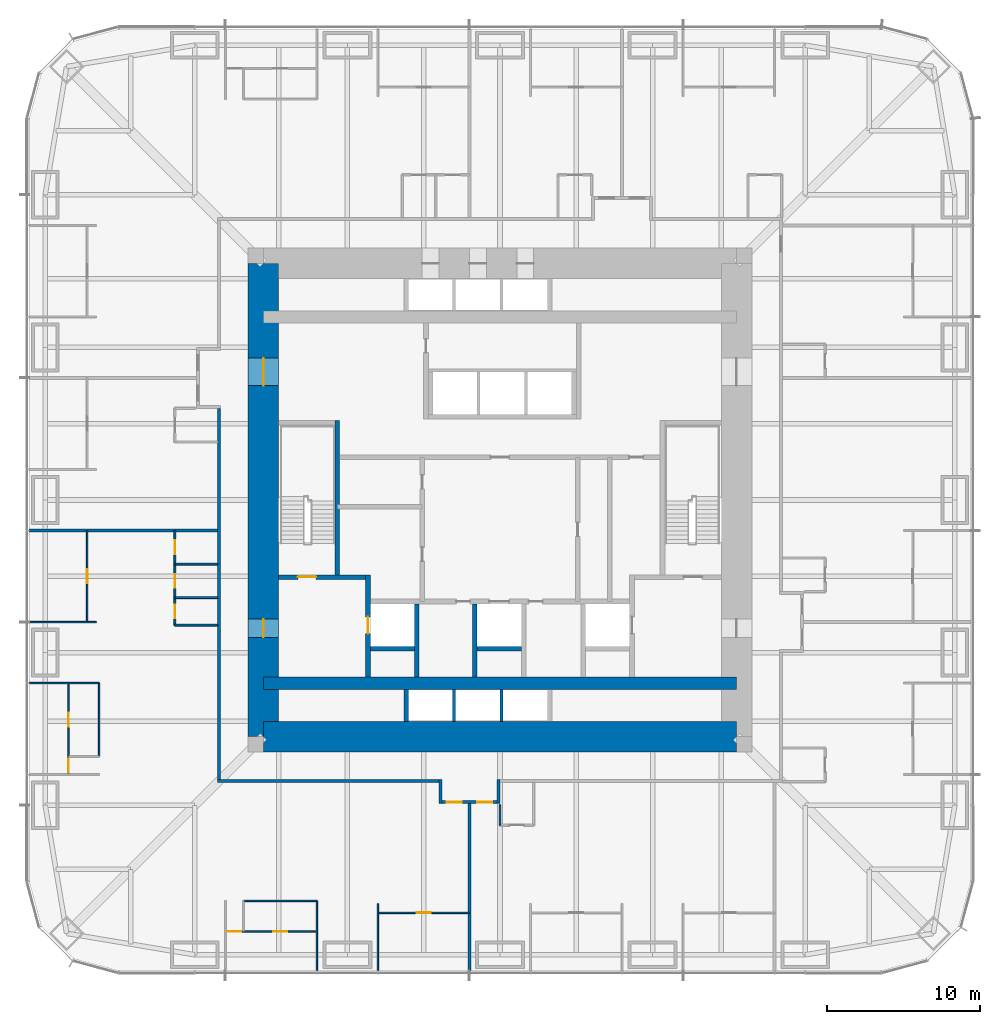
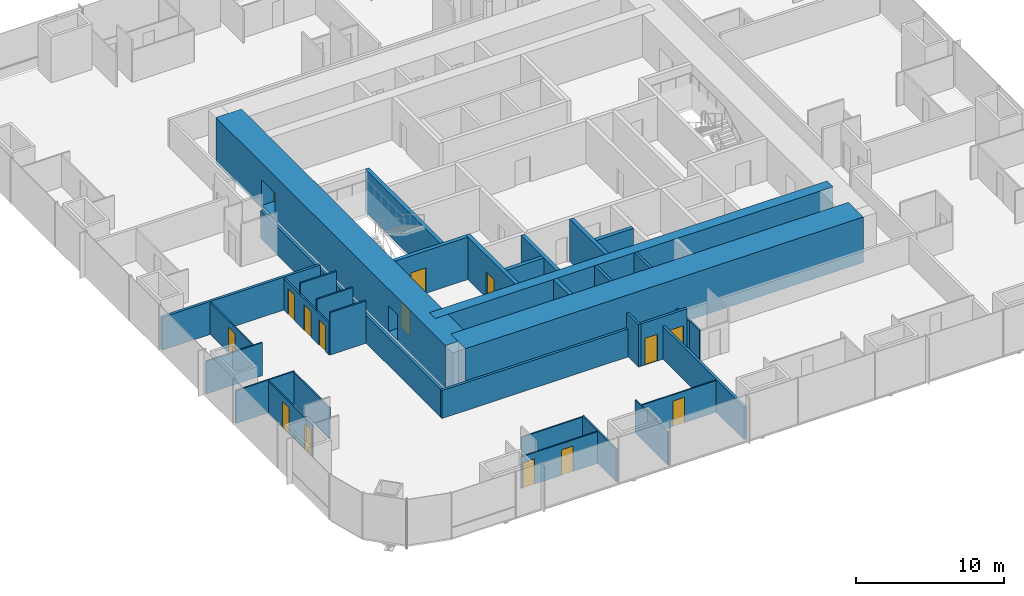
# One storey, part 12 of 17: 35 walls, 15 doors, 15 openings.
"""IFC4 building model written with IfcOpenShell, lengths in metres."""

from ifc_helpers import new_model, si_unit, direction, frame, frame_2d, origin, place, context, subcontext, project, spatial, rectangle, extrude, material, layer, layer_set, type_object, element, fill, save


model = new_model("IFC4")

# Units and contexts
model_context = context("Model", 3, precision=1e-05, world=origin(), true_north=direction((0.0, 1.0)))
body_context = subcontext(model_context, "Body", "Model", "MODEL_VIEW")
ifc_project = project(units=[si_unit("LENGTHUNIT", "METRE"), si_unit("AREAUNIT", "SQUARE_METRE"), si_unit("VOLUMEUNIT", "CUBIC_METRE"), si_unit("PLANEANGLEUNIT", "RADIAN"), si_unit("MASSUNIT", "GRAM", prefix="KILO")], contexts=[model_context])

# Site, building, storey
site_placement = place(None, origin())
site = spatial("IfcSite", under=ifc_project, at=site_placement, CompositionType="ELEMENT")
building_placement = place(site_placement, origin())
building = spatial("IfcBuilding", under=site, at=building_placement, Name="Khuree Lantern Residences", CompositionType="ELEMENT")
storey_placement = place(building_placement, frame((0.0, 0.0, 88.5)))
storey = spatial("IfcBuildingStorey", under=building, at=storey_placement, Name="L22", CompositionType="ELEMENT", Elevation=88.5)

# Wall, openings, doors
ifc_material_1 = material(Name="Moisture-resistant gypsum board on steel studs", Category="steel")
ifc_layer_1 = layer(ifc_material_1, 0.125)
ifc_layer_set_1 = layer_set([ifc_layer_1], Name="BATHROOM WALL BTW125")
wall_type_1 = type_object("IfcWallType", Name="BATHROOM WALL BTW125", PredefinedType="PARTITIONING", material=ifc_layer_set_1)
wall_1_placement = place(storey_placement, frame((-21.300048828125, -2.0, 0.0), z_axis=(0.0, 0.0, 1.0), x_axis=(0.0, -1.0, 0.0)))
wall_1 = element("IfcWall", 1, at=wall_1_placement, inside=storey, type_object=wall_type_1, Name="L22 BATHROOM WALL 07", PredefinedType="PARTITIONING", context=body_context, shape_type="SweptSolid", body=[
    extrude(rectangle(XDim=6.199951171875, YDim=0.125, at=frame_2d((3.10009765625, 0.0))), origin(), (0.0, 0.0, 1.0), 2.610107421875),
])
opening_1_placement = place(wall_1_placement, frame((0.64990234375, 0.0, 0.0)))
opening_1 = element("IfcOpeningElement", 2, at=opening_1_placement, cuts=wall_1, Name="Opening 22-049", PredefinedType="OPENING", context=body_context, shape_type="SweptSolid", body=[
    extrude(rectangle(XDim=0.89990234375, YDim=2.10009765625, at=frame_2d((0.449951171875, 1.050048828125))), frame((0.0, 0.072509765625, 0.0), z_axis=(0.0, -1.0, 0.0), x_axis=(1.0, 0.0, 0.0)), (0.0, 0.0, 1.0), 0.14501953125),
])
opening_2_placement = place(wall_1_placement, frame((2.85009765625, 0.0, 0.0)))
opening_2 = element("IfcOpeningElement", 3, at=opening_2_placement, cuts=wall_1, Name="Opening 22-050", PredefinedType="OPENING", context=body_context, shape_type="SweptSolid", body=[
    extrude(rectangle(XDim=0.89990234375, YDim=2.10009765625, at=frame_2d((0.449951171875, 1.050048828125))), frame((0.0, 0.072509765625, 0.0), z_axis=(0.0, -1.0, 0.0), x_axis=(1.0, 0.0, 0.0)), (0.0, 0.0, 1.0), 0.14501953125),
])
opening_3_placement = place(wall_1_placement, frame((4.85009765625, 0.0, 0.0)))
opening_3 = element("IfcOpeningElement", 4, at=opening_3_placement, cuts=wall_1, Name="Opening 22-051", PredefinedType="OPENING", context=body_context, shape_type="SweptSolid", body=[
    extrude(rectangle(XDim=0.89990234375, YDim=2.10009765625, at=frame_2d((0.449951171875, 1.050048828125))), frame((0.0, 0.072509765625, 0.0), z_axis=(0.0, -1.0, 0.0), x_axis=(1.0, 0.0, 0.0)), (0.0, 0.0, 1.0), 0.14501953125),
])
ifc_material_2 = material(Name="Timber door leaf in hardwood frame", Category="wood")
door_type_1 = type_object("IfcDoorType", Name="BATHROOM DOOR 900X2100", OperationType="SINGLE_SWING_LEFT", PredefinedType="DOOR", material=ifc_material_2)
door_1_placement = place(opening_1_placement, origin())
door_1 = element("IfcDoor", 5, at=door_1_placement, inside=storey, type_object=door_type_1, Name="Bathroom door 22-049", OperationType="SINGLE_SWING_LEFT", OverallHeight=2.10009765625, OverallWidth=0.89990234375, PredefinedType="DOOR", context=body_context, shape_type="SweptSolid", body=[
    extrude(rectangle(XDim=0.89990234375, YDim=2.10009765625, at=frame_2d((0.449951171875, 1.050048828125))), frame((0.0, 0.02490234375, 0.0), z_axis=(0.0, -1.0, 0.0), x_axis=(1.0, 0.0, 0.0)), (0.0, 0.0, 1.0), 0.050048828125),
])
fill(opening_1, door_1)
door_2_placement = place(opening_2_placement, origin())
door_2 = element("IfcDoor", 6, at=door_2_placement, inside=storey, type_object=door_type_1, Name="Bathroom door 22-050", OperationType="SINGLE_SWING_LEFT", OverallHeight=2.10009765625, OverallWidth=0.89990234375, PredefinedType="DOOR", context=body_context, shape_type="SweptSolid", body=[
    extrude(rectangle(XDim=0.89990234375, YDim=2.10009765625, at=frame_2d((0.449951171875, 1.050048828125))), frame((0.0, 0.02490234375, 0.0), z_axis=(0.0, -1.0, 0.0), x_axis=(1.0, 0.0, 0.0)), (0.0, 0.0, 1.0), 0.050048828125),
])
fill(opening_2, door_2)
door_type_2 = type_object("IfcDoorType", Name="DOOR 900X2100", OperationType="SINGLE_SWING_LEFT", PredefinedType="DOOR", material=ifc_material_2)
door_3_placement = place(opening_3_placement, origin())
door_3 = element("IfcDoor", 7, at=door_3_placement, inside=storey, type_object=door_type_2, Name="Store door 22-051", OperationType="SINGLE_SWING_LEFT", OverallHeight=2.10009765625, OverallWidth=0.89990234375, PredefinedType="DOOR", context=body_context, shape_type="SweptSolid", body=[
    extrude(rectangle(XDim=0.89990234375, YDim=2.10009765625, at=frame_2d((0.449951171875, 1.050048828125))), frame((0.0, 0.02490234375, 0.0), z_axis=(0.0, -1.0, 0.0), x_axis=(1.0, 0.0, 0.0)), (0.0, 0.0, 1.0), 0.050048828125),
])
fill(opening_3, door_3)

# Walls
for number, where, z_axis, x_axis, name in (
    (8, (-18.5, -4.199951171875, 0.0), (0.0, 0.0, 1.0), (-1.0, 0.0, 0.0), "L22 BATHROOM WALL 07"),
    (9, (-18.5, -6.39990234375, 0.0), (0.0, 0.0, 1.0), (-1.0, 0.0, 0.0), "L22 BATHROOM WALL 07"),
    (10, (-18.5, -8.199951171875, 0.0), (0.0, 0.0, 1.0), (-1.0, 0.0, 0.0), "L22 BATHROOM WALL 07"),
):
    element("IfcWall", number, at=place(storey_placement, frame(where, z_axis=z_axis, x_axis=x_axis)), inside=storey, type_object=wall_type_1, Name=name, PredefinedType="PARTITIONING", context=body_context, shape_type="SweptSolid", body=[
        extrude(rectangle(XDim=2.800048828125, YDim=0.125, at=frame_2d((1.39990234375, 0.0))), origin(), (0.0, 0.0, 1.0), 3.5),
    ])
wall_2_placement = place(storey_placement, frame((0.0, -19.969970703125, 0.0), z_axis=(0.0, 0.0, 1.0), x_axis=(0.0, -1.0, 0.0)))
element("IfcWall", 11, at=wall_2_placement, inside=storey, type_object=wall_type_1, Name="L22 BATHROOM WALL 08", PredefinedType="PARTITIONING", context=body_context, shape_type="SweptSolid", body=[
    extrude(rectangle(XDim=1.330078125, YDim=0.125, at=frame_2d((0.6650390625, 0.0))), origin(), (0.0, 0.0, 1.0), 2.491943359375),
])

# Wall, opening, door
ifc_material_3 = material(Name="Dense concrete blockwork", Category="masonry")
ifc_layer_2 = layer(ifc_material_3, 0.300048828125)
ifc_layer_set_2 = layer_set([ifc_layer_2], Name="CORE PARTITION WALL CPW300 EI 120")
wall_type_2 = type_object("IfcWallType", Name="CORE PARTITION WALL CPW300 EI 120", PredefinedType="PARTITIONING", material=ifc_layer_set_2)
wall_3_placement = place(storey_placement, frame((-8.64990234375, -11.60009765625, 0.0), z_axis=(0.0, 0.0, 1.0), x_axis=(0.0, 1.0, 0.0)))
wall_3 = element("IfcWall", 12, at=wall_3_placement, inside=storey, type_object=wall_type_2, Name="L22 CORE WALL FL1W", PredefinedType="PARTITIONING", context=body_context, shape_type="SweptSolid", body=[
    extrude(rectangle(XDim=6.7001953125, YDim=0.300048828125, at=frame_2d((3.35009765625, 0.0))), origin(), (0.0, 0.0, 1.0), 3.5),
])
opening_4_placement = place(wall_3_placement, frame((2.85009765625, 0.0, 0.0)))
opening_4 = element("IfcOpeningElement", 13, at=opening_4_placement, cuts=wall_3, Name="Opening 22-007", PredefinedType="OPENING", context=body_context, shape_type="SweptSolid", body=[
    extrude(rectangle(XDim=1.10009765625, YDim=2.10009765625, at=frame_2d((0.550048828125, 1.050048828125))), frame((0.0, 0.16015625, 0.0), z_axis=(0.0, -1.0, 0.0), x_axis=(1.0, 0.0, 0.0)), (0.0, 0.0, 1.0), 0.320068359375),
])
ifc_material_4 = material(Name="Stainless steel lift landing door", Category="steel")
door_type_3 = type_object("IfcDoorType", Name="LIFT LANDING DOOR 1100X2100 E 120", OperationType="DOUBLE_DOOR_SLIDING", PredefinedType="DOOR", material=ifc_material_4)
door_4_placement = place(opening_4_placement, origin())
door_4 = element("IfcDoor", 14, at=door_4_placement, inside=storey, type_object=door_type_3, Name="Landing door FL1 22-007", OperationType="DOUBLE_DOOR_SLIDING", OverallHeight=2.10009765625, OverallWidth=1.10009765625, PredefinedType="DOOR", context=body_context, shape_type="SweptSolid", body=[
    extrude(rectangle(XDim=1.10009765625, YDim=2.10009765625, at=frame_2d((0.550048828125, 1.050048828125))), frame((0.0, 0.02490234375, 0.0), z_axis=(0.0, -1.0, 0.0), x_axis=(1.0, 0.0, 0.0)), (0.0, 0.0, 1.0), 0.050048828125),
])
fill(opening_4, door_4)

# Walls
for number, where, z_axis, x_axis, name in (
    (15, (-5.449951171875, -11.60009765625, 0.0), (0.0, 0.0, 1.0), (0.0, 1.0, 0.0), "L22 CORE WALL FL1E"),
    (16, (-1.64990234375, -11.60009765625, 0.0), (0.0, 0.0, 1.0), (0.0, 1.0, 0.0), "L22 CORE WALL SL1W"),
):
    element("IfcWall", number, at=place(storey_placement, frame(where, z_axis=z_axis, x_axis=x_axis)), inside=storey, type_object=wall_type_2, Name=name, PredefinedType="PARTITIONING", context=body_context, shape_type="SweptSolid", body=[
        extrude(rectangle(XDim=4.800048828125, YDim=0.300048828125, at=frame_2d((2.39990234375, 0.0))), origin(), (0.0, 0.0, 1.0), 3.5),
    ])
for number, where, z_axis, x_axis, name in (
    (17, (-8.5, -9.75, 0.0), (0.0, 0.0, 1.0), (1.0, 0.0, 0.0), "L22 CORE WALL FL1S"),
    (18, (-1.5, -9.75, 0.0), (0.0, 0.0, 1.0), (1.0, 0.0, 0.0), "L22 CORE WALL SL1S"),
):
    element("IfcWall", number, at=place(storey_placement, frame(where, z_axis=z_axis, x_axis=x_axis)), inside=storey, type_object=wall_type_2, Name=name, PredefinedType="PARTITIONING", context=body_context, shape_type="SweptSolid", body=[
        extrude(rectangle(XDim=2.89990234375, YDim=0.300048828125, at=frame_2d((1.449951171875, 0.0))), origin(), (0.0, 0.0, 1.0), 3.5),
    ])
wall_4_placement = place(storey_placement, frame((-6.14990234375, -14.5, 0.0), z_axis=(0.0, 0.0, 1.0), x_axis=(0.0, 1.0, 0.0)))
element("IfcWall", 19, at=wall_4_placement, inside=storey, type_object=wall_type_2, Name="L22 CORE WALL PMW", PredefinedType="PARTITIONING", context=body_context, shape_type="SweptSolid", body=[
    extrude(rectangle(XDim=2.10009765625, YDim=0.300048828125, at=frame_2d((1.050048828125, 0.0))), origin(), (0.0, 0.0, 1.0), 3.5),
])
ifc_material_5 = material(Name="Gypsum board on steel studs", Category="steel")
ifc_layer_3 = layer(ifc_material_5, 0.199951171875)
ifc_layer_set_3 = layer_set([ifc_layer_3], Name="CORRIDOR WALL CRW200 EI 60")
wall_type_3 = type_object("IfcWallType", Name="CORRIDOR WALL CRW200 EI 60", PredefinedType="PARTITIONING", material=ifc_layer_set_3)
wall_5_placement = place(storey_placement, frame((-18.39990234375, 6.0, 0.0), z_axis=(0.0, 0.0, 1.0), x_axis=(0.0, -1.0, 0.0)))
element("IfcWall", 20, at=wall_5_placement, inside=storey, type_object=wall_type_3, Name="L22 CORRIDOR WALL WEST 2", PredefinedType="PARTITIONING", context=body_context, shape_type="SweptSolid", body=[
    extrude(rectangle(XDim=24.300048828125, YDim=0.199951171875, at=frame_2d((12.14990234375, 0.0))), origin(), (0.0, 0.0, 1.0), 2.300048828125),
])
wall_6_placement = place(storey_placement, frame((-0.10009765625, -18.300048828125, 0.0), z_axis=(0.0, 0.0, 1.0), x_axis=(0.0, -1.0, 0.0)))
element("IfcWall", 21, at=wall_6_placement, inside=storey, type_object=wall_type_3, Name="L22 CORRIDOR ALCOVE WALL SOUTH", PredefinedType="PARTITIONING", context=body_context, shape_type="SweptSolid", body=[
    extrude(rectangle(XDim=1.599853515625, YDim=0.199951171875, at=frame_2d((0.7998046875, 0.0))), origin(), (0.0, 0.0, 1.0), 2.491943359375),
])
wall_7_placement = place(storey_placement, frame((-3.89990234375, -18.300048828125, 0.0), z_axis=(0.0, 0.0, 1.0), x_axis=(0.0, -1.0, 0.0)))
element("IfcWall", 22, at=wall_7_placement, inside=storey, type_object=wall_type_3, Name="L22 CORRIDOR ALCOVE WALL SOUTH", PredefinedType="PARTITIONING", context=body_context, shape_type="SweptSolid", body=[
    extrude(rectangle(XDim=1.599853515625, YDim=0.199951171875, at=frame_2d((0.7998046875, 0.0))), origin(), (0.0, 0.0, 1.0), 3.5),
])

# Wall, openings, doors
wall_8_placement = place(storey_placement, frame((-0.199951171875, -19.800048828125, 0.0), z_axis=(0.0, 0.0, 1.0), x_axis=(-1.0, 0.0, 0.0)))
wall_8 = element("IfcWall", 23, at=wall_8_placement, inside=storey, type_object=wall_type_3, Name="L22 CORRIDOR ALCOVE WALL SOUTH", PredefinedType="PARTITIONING", context=body_context, shape_type="SweptSolid", body=[
    extrude(rectangle(XDim=3.60009765625, YDim=0.199951171875, at=frame_2d((1.800048828125, 0.0))), origin(), (0.0, 0.0, 1.0), 3.5),
])
opening_5_placement = place(wall_8_placement, frame((2.300048828125, 0.0, 0.0)))
opening_5 = element("IfcOpeningElement", 24, at=opening_5_placement, cuts=wall_8, Name="Opening 22-052", PredefinedType="OPENING", context=body_context, shape_type="SweptSolid", body=[
    extrude(rectangle(XDim=1.0, YDim=2.199951171875, at=frame_2d((0.5, 1.10009765625))), frame((0.0, 0.10986328125, 0.0), z_axis=(0.0, -1.0, 0.0), x_axis=(1.0, 0.0, 0.0)), (0.0, 0.0, 1.0), 0.219970703125),
])
opening_6_placement = place(wall_8_placement, frame((0.300048828125, 0.0, 0.0)))
opening_6 = element("IfcOpeningElement", 25, at=opening_6_placement, cuts=wall_8, Name="Opening 22-056", PredefinedType="OPENING", context=body_context, shape_type="SweptSolid", body=[
    extrude(rectangle(XDim=1.0, YDim=2.199951171875, at=frame_2d((0.5, 1.10009765625))), frame((0.0, 0.10986328125, 0.0), z_axis=(0.0, -1.0, 0.0), x_axis=(1.0, 0.0, 0.0)), (0.0, 0.0, 1.0), 0.219970703125),
])
door_type_4 = type_object("IfcDoorType", Name="APARTMENT ENTRANCE DOOR 1000X2200 EI 30S", OperationType="SINGLE_SWING_LEFT", PredefinedType="DOOR", material=ifc_material_2)
door_5_placement = place(opening_5_placement, origin())
door_5 = element("IfcDoor", 26, at=door_5_placement, inside=storey, type_object=door_type_4, Name="Apartment 07 entrance door 22-052", OperationType="SINGLE_SWING_LEFT", OverallHeight=2.199951171875, OverallWidth=1.0, PredefinedType="DOOR", context=body_context, shape_type="SweptSolid", body=[
    extrude(rectangle(XDim=1.0, YDim=2.199951171875, at=frame_2d((0.5, 1.10009765625))), frame((0.0, 0.02490234375, 0.0), z_axis=(0.0, -1.0, 0.0), x_axis=(1.0, 0.0, 0.0)), (0.0, 0.0, 1.0), 0.050048828125),
])
fill(opening_5, door_5)
door_6_placement = place(opening_6_placement, origin())
door_6 = element("IfcDoor", 27, at=door_6_placement, inside=storey, type_object=door_type_4, Name="Apartment 08 entrance door 22-056", OperationType="SINGLE_SWING_LEFT", OverallHeight=2.199951171875, OverallWidth=1.0, PredefinedType="DOOR", context=body_context, shape_type="SweptSolid", body=[
    extrude(rectangle(XDim=1.0, YDim=2.199951171875, at=frame_2d((0.5, 1.10009765625))), frame((0.0, 0.02490234375, 0.0), z_axis=(0.0, -1.0, 0.0), x_axis=(1.0, 0.0, 0.0)), (0.0, 0.0, 1.0), 0.050048828125),
])
fill(opening_6, door_6)

# Walls
wall_9_placement = place(storey_placement, frame((-4.0, -18.39990234375, 0.0), z_axis=(0.0, 0.0, 1.0), x_axis=(-1.0, 0.0, 0.0)))
element("IfcWall", 28, at=wall_9_placement, inside=storey, type_object=wall_type_3, Name="L22 CORRIDOR WALL SOUTH 2", PredefinedType="PARTITIONING", context=body_context, shape_type="SweptSolid", body=[
    extrude(rectangle(XDim=14.5, YDim=0.199951171875, at=frame_2d((7.25, 0.0))), origin(), (0.0, 0.0, 1.0), 2.300048828125),
])
ifc_material_6 = material(Name="Concrete C70/85", Category="concrete")
ifc_layer_4 = layer(ifc_material_6, 2.0)
ifc_layer_set_4 = layer_set([ifc_layer_4], Name="CW2000-C70 CORE WALL C70 2000")
wall_type_4 = type_object("IfcWallType", Name="CW2000-C70 CORE WALL C70 2000", PredefinedType="SHEAR", material=ifc_layer_set_4)
wall_10_placement = place(storey_placement, frame((-15.5, -15.5, -0.25), z_axis=(0.0, 0.0, 1.0), x_axis=(1.0, 0.0, 0.0)))
element("IfcWall", 29, at=wall_10_placement, inside=storey, type_object=wall_type_4, Name="Core wall S", PredefinedType="SHEAR", context=body_context, shape_type="SweptSolid", body=[
    extrude(rectangle(XDim=31.0, YDim=2.0, at=frame_2d((15.5, 0.0))), origin(), (0.0, 0.0, 1.0), 3.75),
])

# Wall, openings, doors
wall_11_placement = place(storey_placement, frame((-15.5, -15.5, -0.25), z_axis=(0.0, 0.0, 1.0), x_axis=(0.0, 1.0, 0.0)))
wall_11 = element("IfcWall", 30, at=wall_11_placement, inside=storey, type_object=wall_type_4, Name="Core wall W", PredefinedType="SHEAR", context=body_context, shape_type="SweptSolid", body=[
    extrude(rectangle(XDim=31.0, YDim=2.0, at=frame_2d((15.5, 0.0))), origin(), (0.0, 0.0, 1.0), 3.75),
])
opening_7_placement = place(wall_11_placement, frame((6.5, 0.0, 0.25)))
opening_7 = element("IfcOpeningElement", 31, at=opening_7_placement, cuts=wall_11, Name="Opening 22-002", PredefinedType="OPENING", context=body_context, shape_type="SweptSolid", body=[
    extrude(rectangle(XDim=1.199951171875, YDim=2.10009765625, at=frame_2d((0.60009765625, 1.050048828125))), frame((0.0, 1.010009765625, 0.0), z_axis=(0.0, -1.0, 0.0), x_axis=(1.0, 0.0, 0.0)), (0.0, 0.0, 1.0), 2.02001953125),
])
opening_8_placement = place(wall_11_placement, frame((23.0, 0.0, 0.25)))
opening_8 = element("IfcOpeningElement", 32, at=opening_8_placement, cuts=wall_11, Name="Opening 22-003", PredefinedType="OPENING", context=body_context, shape_type="SweptSolid", body=[
    extrude(rectangle(XDim=1.800048828125, YDim=2.10009765625, at=frame_2d((0.89990234375, 1.050048828125))), frame((0.0, 1.010009765625, 0.0), z_axis=(0.0, -1.0, 0.0), x_axis=(1.0, 0.0, 0.0)), (0.0, 0.0, 1.0), 2.02001953125),
])
ifc_material_7 = material(Name="Steel door leaf in steel frame", Category="steel")
door_type_5 = type_object("IfcDoorType", Name="LOBBY DOOR 1200X2100 EI 120", OperationType="SINGLE_SWING_LEFT", PredefinedType="DOOR", material=ifc_material_7)
door_7_placement = place(opening_7_placement, origin())
door_7 = element("IfcDoor", 33, at=door_7_placement, inside=storey, type_object=door_type_5, Name="Firefighting lobby door 22-002", OperationType="SINGLE_SWING_LEFT", OverallHeight=2.10009765625, OverallWidth=1.199951171875, PredefinedType="DOOR", context=body_context, shape_type="SweptSolid", body=[
    extrude(rectangle(XDim=1.199951171875, YDim=2.10009765625, at=frame_2d((0.60009765625, 1.050048828125))), frame((0.0, 0.02490234375, 0.0), z_axis=(0.0, -1.0, 0.0), x_axis=(1.0, 0.0, 0.0)), (0.0, 0.0, 1.0), 0.050048828125),
])
fill(opening_7, door_7)
door_type_6 = type_object("IfcDoorType", Name="LOBBY DOUBLE DOOR 1800X2100 EI 60", OperationType="DOUBLE_DOOR_SINGLE_SWING", PredefinedType="DOOR", material=ifc_material_7)
door_8_placement = place(opening_8_placement, origin())
door_8 = element("IfcDoor", 34, at=door_8_placement, inside=storey, type_object=door_type_6, Name="Lift lobby door 22-003", OperationType="DOUBLE_DOOR_SINGLE_SWING", OverallHeight=2.10009765625, OverallWidth=1.800048828125, PredefinedType="DOOR", context=body_context, shape_type="SweptSolid", body=[
    extrude(rectangle(XDim=1.800048828125, YDim=2.10009765625, at=frame_2d((0.89990234375, 1.050048828125))), frame((0.0, 0.02490234375, 0.0), z_axis=(0.0, -1.0, 0.0), x_axis=(1.0, 0.0, 0.0)), (0.0, 0.0, 1.0), 0.050048828125),
])
fill(opening_8, door_8)

# Walls
ifc_layer_5 = layer(ifc_material_5, 0.199951171875)
ifc_layer_set_5 = layer_set([ifc_layer_5], Name="DEMISING WALL DMW200 EI 90")
wall_type_5 = type_object("IfcWallType", Name="DEMISING WALL DMW200 EI 90", PredefinedType="PARTITIONING", material=ifc_layer_set_5)
wall_12_placement = place(storey_placement, frame((-18.5, -2.0, 0.0), z_axis=(0.0, 0.0, 1.0), x_axis=(-1.0, 0.0, 0.0)))
element("IfcWall", 35, at=wall_12_placement, inside=storey, type_object=wall_type_5, Name="L22 DEMISING WALL 07", PredefinedType="PARTITIONING", context=body_context, shape_type="SweptSolid", body=[
    extrude(rectangle(XDim=12.35009765625, YDim=0.199951171875, at=frame_2d((6.175048828125, 0.0))), origin(), (0.0, 0.0, 1.0), 2.7099609375),
])
wall_13_placement = place(storey_placement, frame((-2.0, -19.89990234375, 0.0), z_axis=(0.0, 0.0, 1.0), x_axis=(0.0, -1.0, 0.0)))
element("IfcWall", 36, at=wall_13_placement, inside=storey, type_object=wall_type_5, Name="L22 DEMISING WALL 08", PredefinedType="PARTITIONING", context=body_context, shape_type="SweptSolid", body=[
    extrude(rectangle(XDim=10.9501953125, YDim=0.199951171875, at=frame_2d((5.47509765625, 0.0))), origin(), (0.0, 0.0, 1.0), 2.7099609375),
])
ifc_layer_6 = layer(ifc_material_5, 0.10009765625)
ifc_layer_set_6 = layer_set([ifc_layer_6], Name="PARTITION PT100")
wall_type_6 = type_object("IfcWallType", Name="PARTITION PT100", PredefinedType="PARTITIONING", material=ifc_layer_set_6)
wall_14_placement = place(storey_placement, frame((-26.449951171875, -8.0, 0.0), z_axis=(0.0, 0.0, 1.0), x_axis=(-1.0, 0.0, 0.0)))
element("IfcWall", 37, at=wall_14_placement, inside=storey, type_object=wall_type_6, Name="L22 PARTITION 07", PredefinedType="PARTITIONING", context=body_context, shape_type="SweptSolid", body=[
    extrude(rectangle(XDim=4.400146484375, YDim=0.10009765625, at=frame_2d((2.2001953125, 0.0))), origin(), (0.0, 0.0, 1.0), 2.7099609375),
])
for number, where, z_axis, x_axis, name in (
    (38, (-26.2666015625, -12.0, 0.0), (0.0, 0.0, 1.0), (-1.0, 0.0, 0.0), "L22 PARTITION 07"),
    (39, (-12.0, -26.2666015625, 0.0), (0.0, 0.0, 1.0), (0.0, -1.0, 0.0), "L22 PARTITION 07"),
):
    element("IfcWall", number, at=place(storey_placement, frame(where, z_axis=z_axis, x_axis=x_axis)), inside=storey, type_object=wall_type_6, Name=name, PredefinedType="PARTITIONING", context=body_context, shape_type="SweptSolid", body=[
        extrude(rectangle(XDim=4.58349609375, YDim=0.10009765625, at=frame_2d((2.291748046875, 0.0))), origin(), (0.0, 0.0, 1.0), 2.7099609375),
    ])
wall_15_placement = place(storey_placement, frame((-8.0, -26.449951171875, 0.0), z_axis=(0.0, 0.0, 1.0), x_axis=(0.0, -1.0, 0.0)))
element("IfcWall", 40, at=wall_15_placement, inside=storey, type_object=wall_type_6, Name="L22 PARTITION 07", PredefinedType="PARTITIONING", context=body_context, shape_type="SweptSolid", body=[
    extrude(rectangle(XDim=4.400146484375, YDim=0.10009765625, at=frame_2d((2.2001953125, 0.0))), origin(), (0.0, 0.0, 1.0), 2.7099609375),
])

# Wall, opening, door
wall_16_placement = place(storey_placement, frame((-27.050048828125, -2.0, 0.0), z_axis=(0.0, 0.0, 1.0), x_axis=(0.0, -1.0, 0.0)))
wall_16 = element("IfcWall", 41, at=wall_16_placement, inside=storey, type_object=wall_type_6, Name="L22 PARTITION 07", PredefinedType="PARTITIONING", context=body_context, shape_type="SweptSolid", body=[
    extrude(rectangle(XDim=6.0, YDim=0.10009765625, at=frame_2d((3.0, 0.0))), origin(), (0.0, 0.0, 1.0), 2.610107421875),
])
opening_9_placement = place(wall_16_placement, frame((2.550048828125, 0.0, 0.0)))
opening_9 = element("IfcOpeningElement", 42, at=opening_9_placement, cuts=wall_16, Name="Opening 22-043", PredefinedType="OPENING", context=body_context, shape_type="SweptSolid", body=[
    extrude(rectangle(XDim=0.89990234375, YDim=2.10009765625, at=frame_2d((0.449951171875, 1.050048828125))), frame((0.0, 0.06005859375, 0.0), z_axis=(0.0, -1.0, 0.0), x_axis=(1.0, 0.0, 0.0)), (0.0, 0.0, 1.0), 0.1201171875),
])
door_type_7 = type_object("IfcDoorType", Name="BEDROOM DOOR 900X2100", OperationType="SINGLE_SWING_LEFT", PredefinedType="DOOR", material=ifc_material_2)
door_9_placement = place(opening_9_placement, origin())
door_9 = element("IfcDoor", 43, at=door_9_placement, inside=storey, type_object=door_type_7, Name="Bedroom door 22-043", OperationType="SINGLE_SWING_LEFT", OverallHeight=2.10009765625, OverallWidth=0.89990234375, PredefinedType="DOOR", context=body_context, shape_type="SweptSolid", body=[
    extrude(rectangle(XDim=0.89990234375, YDim=2.10009765625, at=frame_2d((0.449951171875, 1.050048828125))), frame((0.0, 0.02490234375, 0.0), z_axis=(0.0, -1.0, 0.0), x_axis=(1.0, 0.0, 0.0)), (0.0, 0.0, 1.0), 0.050048828125),
])
fill(opening_9, door_9)

# Wall, openings, doors
wall_17_placement = place(storey_placement, frame((-28.2666015625, -12.0, 0.0), z_axis=(0.0, 0.0, 1.0), x_axis=(0.0, -1.0, 0.0)))
wall_17 = element("IfcWall", 44, at=wall_17_placement, inside=storey, type_object=wall_type_6, Name="L22 PARTITION 07", PredefinedType="PARTITIONING", context=body_context, shape_type="SweptSolid", body=[
    extrude(rectangle(XDim=6.0, YDim=0.10009765625, at=frame_2d((3.0, 0.0))), origin(), (0.0, 0.0, 1.0), 2.610107421875),
])
opening_10_placement = place(wall_17_placement, frame((4.949951171875, 0.0, 0.0)))
opening_10 = element("IfcOpeningElement", 45, at=opening_10_placement, cuts=wall_17, Name="Opening 22-044", PredefinedType="OPENING", context=body_context, shape_type="SweptSolid", body=[
    extrude(rectangle(XDim=0.89990234375, YDim=2.10009765625, at=frame_2d((0.449951171875, 1.050048828125))), frame((0.0, 0.06005859375, 0.0), z_axis=(0.0, -1.0, 0.0), x_axis=(1.0, 0.0, 0.0)), (0.0, 0.0, 1.0), 0.1201171875),
])
opening_11_placement = place(wall_17_placement, frame((1.949951171875, 0.0, 0.0)))
opening_11 = element("IfcOpeningElement", 46, at=opening_11_placement, cuts=wall_17, Name="Opening 22-045", PredefinedType="OPENING", context=body_context, shape_type="SweptSolid", body=[
    extrude(rectangle(XDim=0.89990234375, YDim=2.10009765625, at=frame_2d((0.449951171875, 1.050048828125))), frame((0.0, 0.06005859375, 0.0), z_axis=(0.0, -1.0, 0.0), x_axis=(1.0, 0.0, 0.0)), (0.0, 0.0, 1.0), 0.1201171875),
])
door_10_placement = place(opening_10_placement, origin())
door_10 = element("IfcDoor", 47, at=door_10_placement, inside=storey, type_object=door_type_7, Name="Bedroom door 22-044", OperationType="SINGLE_SWING_LEFT", OverallHeight=2.10009765625, OverallWidth=0.89990234375, PredefinedType="DOOR", context=body_context, shape_type="SweptSolid", body=[
    extrude(rectangle(XDim=0.89990234375, YDim=2.10009765625, at=frame_2d((0.449951171875, 1.050048828125))), frame((0.0, 0.02490234375, 0.0), z_axis=(0.0, -1.0, 0.0), x_axis=(1.0, 0.0, 0.0)), (0.0, 0.0, 1.0), 0.050048828125),
])
fill(opening_10, door_10)
door_11_placement = place(opening_11_placement, origin())
door_11 = element("IfcDoor", 48, at=door_11_placement, inside=storey, type_object=door_type_2, Name="Wardrobe door 22-045", OperationType="SINGLE_SWING_LEFT", OverallHeight=2.10009765625, OverallWidth=0.89990234375, PredefinedType="DOOR", context=body_context, shape_type="SweptSolid", body=[
    extrude(rectangle(XDim=0.89990234375, YDim=2.10009765625, at=frame_2d((0.449951171875, 1.050048828125))), frame((0.0, 0.02490234375, 0.0), z_axis=(0.0, -1.0, 0.0), x_axis=(1.0, 0.0, 0.0)), (0.0, 0.0, 1.0), 0.050048828125),
])
fill(opening_11, door_11)

# Wall
wall_18_placement = place(storey_placement, frame((-26.2666015625, -12.0, 0.0), z_axis=(0.0, 0.0, 1.0), x_axis=(0.0, -1.0, 0.0)))
element("IfcWall", 49, at=wall_18_placement, inside=storey, type_object=wall_type_6, Name="L22 PARTITION 07", PredefinedType="PARTITIONING", context=body_context, shape_type="SweptSolid", body=[
    extrude(rectangle(XDim=4.800048828125, YDim=0.10009765625, at=frame_2d((2.39990234375, 0.0))), origin(), (0.0, 0.0, 1.0), 2.610107421875),
])

# Wall, openings, doors
wall_19_placement = place(storey_placement, frame((-18.0, -28.2666015625, 0.0), z_axis=(0.0, 0.0, 1.0), x_axis=(1.0, 0.0, 0.0)))
wall_19 = element("IfcWall", 50, at=wall_19_placement, inside=storey, type_object=wall_type_6, Name="L22 PARTITION 07", PredefinedType="PARTITIONING", context=body_context, shape_type="SweptSolid", body=[
    extrude(rectangle(XDim=6.0, YDim=0.10009765625, at=frame_2d((3.0, 0.0))), origin(), (0.0, 0.0, 1.0), 2.610107421875),
])
opening_12_placement = place(wall_19_placement, frame((0.14990234375, 0.0, 0.0)))
opening_12 = element("IfcOpeningElement", 51, at=opening_12_placement, cuts=wall_19, Name="Opening 22-046", PredefinedType="OPENING", context=body_context, shape_type="SweptSolid", body=[
    extrude(rectangle(XDim=0.89990234375, YDim=2.10009765625, at=frame_2d((0.449951171875, 1.050048828125))), frame((0.0, 0.06005859375, 0.0), z_axis=(0.0, -1.0, 0.0), x_axis=(1.0, 0.0, 0.0)), (0.0, 0.0, 1.0), 0.1201171875),
])
opening_13_placement = place(wall_19_placement, frame((3.14990234375, 0.0, 0.0)))
opening_13 = element("IfcOpeningElement", 52, at=opening_13_placement, cuts=wall_19, Name="Opening 22-047", PredefinedType="OPENING", context=body_context, shape_type="SweptSolid", body=[
    extrude(rectangle(XDim=0.89990234375, YDim=2.10009765625, at=frame_2d((0.449951171875, 1.050048828125))), frame((0.0, 0.06005859375, 0.0), z_axis=(0.0, -1.0, 0.0), x_axis=(1.0, 0.0, 0.0)), (0.0, 0.0, 1.0), 0.1201171875),
])
door_12_placement = place(opening_12_placement, origin())
door_12 = element("IfcDoor", 53, at=door_12_placement, inside=storey, type_object=door_type_7, Name="Bedroom door 22-046", OperationType="SINGLE_SWING_LEFT", OverallHeight=2.10009765625, OverallWidth=0.89990234375, PredefinedType="DOOR", context=body_context, shape_type="SweptSolid", body=[
    extrude(rectangle(XDim=0.89990234375, YDim=2.10009765625, at=frame_2d((0.449951171875, 1.050048828125))), frame((0.0, 0.02490234375, 0.0), z_axis=(0.0, -1.0, 0.0), x_axis=(1.0, 0.0, 0.0)), (0.0, 0.0, 1.0), 0.050048828125),
])
fill(opening_12, door_12)
door_13_placement = place(opening_13_placement, origin())
door_13 = element("IfcDoor", 54, at=door_13_placement, inside=storey, type_object=door_type_2, Name="Wardrobe door 22-047", OperationType="SINGLE_SWING_LEFT", OverallHeight=2.10009765625, OverallWidth=0.89990234375, PredefinedType="DOOR", context=body_context, shape_type="SweptSolid", body=[
    extrude(rectangle(XDim=0.89990234375, YDim=2.10009765625, at=frame_2d((0.449951171875, 1.050048828125))), frame((0.0, 0.02490234375, 0.0), z_axis=(0.0, -1.0, 0.0), x_axis=(1.0, 0.0, 0.0)), (0.0, 0.0, 1.0), 0.050048828125),
])
fill(opening_13, door_13)

# Wall
wall_20_placement = place(storey_placement, frame((-16.800048828125, -26.2666015625, 0.0), z_axis=(0.0, 0.0, 1.0), x_axis=(1.0, 0.0, 0.0)))
element("IfcWall", 55, at=wall_20_placement, inside=storey, type_object=wall_type_6, Name="L22 PARTITION 07", PredefinedType="PARTITIONING", context=body_context, shape_type="SweptSolid", body=[
    extrude(rectangle(XDim=4.800048828125, YDim=0.10009765625, at=frame_2d((2.39990234375, 0.0))), origin(), (0.0, 0.0, 1.0), 2.610107421875),
])

# Wall, opening, door
wall_21_placement = place(storey_placement, frame((-8.0, -27.050048828125, 0.0), z_axis=(0.0, 0.0, 1.0), x_axis=(1.0, 0.0, 0.0)))
wall_21 = element("IfcWall", 56, at=wall_21_placement, inside=storey, type_object=wall_type_6, Name="L22 PARTITION 07", PredefinedType="PARTITIONING", context=body_context, shape_type="SweptSolid", body=[
    extrude(rectangle(XDim=6.0, YDim=0.10009765625, at=frame_2d((3.0, 0.0))), origin(), (0.0, 0.0, 1.0), 2.610107421875),
])
opening_14_placement = place(wall_21_placement, frame((2.550048828125, 0.0, 0.0)))
opening_14 = element("IfcOpeningElement", 57, at=opening_14_placement, cuts=wall_21, Name="Opening 22-048", PredefinedType="OPENING", context=body_context, shape_type="SweptSolid", body=[
    extrude(rectangle(XDim=0.89990234375, YDim=2.10009765625, at=frame_2d((0.449951171875, 1.050048828125))), frame((0.0, 0.06005859375, 0.0), z_axis=(0.0, -1.0, 0.0), x_axis=(1.0, 0.0, 0.0)), (0.0, 0.0, 1.0), 0.1201171875),
])
door_14_placement = place(opening_14_placement, origin())
door_14 = element("IfcDoor", 58, at=door_14_placement, inside=storey, type_object=door_type_7, Name="Bedroom door 22-048", OperationType="SINGLE_SWING_LEFT", OverallHeight=2.10009765625, OverallWidth=0.89990234375, PredefinedType="DOOR", context=body_context, shape_type="SweptSolid", body=[
    extrude(rectangle(XDim=0.89990234375, YDim=2.10009765625, at=frame_2d((0.449951171875, 1.050048828125))), frame((0.0, 0.02490234375, 0.0), z_axis=(0.0, -1.0, 0.0), x_axis=(1.0, 0.0, 0.0)), (0.0, 0.0, 1.0), 0.050048828125),
])
fill(opening_14, door_14)

# Walls
ifc_layer_7 = layer(ifc_material_3, 0.199951171875)
ifc_layer_set_7 = layer_set([ifc_layer_7], Name="SHAFT WALL SHW200 EI 120")
wall_type_7 = type_object("IfcWallType", Name="SHAFT WALL SHW200 EI 120", PredefinedType="PARTITIONING", material=ifc_layer_set_7)
for number, where, z_axis, x_axis, name in (
    (59, (-3.0, -14.5, 0.0), (0.0, 0.0, 1.0), (0.0, 1.0, 0.0), "L22 CORE WALL PMD1"),
    (60, (0.10009765625, -14.5, 0.0), (0.0, 0.0, 1.0), (0.0, 1.0, 0.0), "L22 CORE WALL PMD2"),
):
    element("IfcWall", number, at=place(storey_placement, frame(where, z_axis=z_axis, x_axis=x_axis)), inside=storey, type_object=wall_type_7, Name=name, PredefinedType="PARTITIONING", context=body_context, shape_type="SweptSolid", body=[
        extrude(rectangle(XDim=2.10009765625, YDim=0.199951171875, at=frame_2d((1.050048828125, 0.0))), origin(), (0.0, 0.0, 1.0), 3.5),
    ])
ifc_layer_8 = layer(ifc_material_6, 0.800048828125)
ifc_layer_set_8 = layer_set([ifc_layer_8], Name="SP800-C70 CORE SPINE WALL C70 800")
wall_type_8 = type_object("IfcWallType", Name="SP800-C70 CORE SPINE WALL C70 800", PredefinedType="SHEAR", material=ifc_layer_set_8)
wall_22_placement = place(storey_placement, frame((-15.5, -12.0, -0.25), z_axis=(0.0, 0.0, 1.0), x_axis=(1.0, 0.0, 0.0)))
element("IfcWall", 61, at=wall_22_placement, inside=storey, type_object=wall_type_8, Name="Core wall SPS", PredefinedType="SHEAR", context=body_context, shape_type="SweptSolid", body=[
    extrude(rectangle(XDim=31.0, YDim=0.800048828125, at=frame_2d((15.5, 0.0))), origin(), (0.0, 0.0, 1.0), 3.75),
])
ifc_material_8 = material(Name="Concrete C50/60", Category="concrete")
ifc_layer_9 = layer(ifc_material_8, 0.300048828125)
ifc_layer_set_9 = layer_set([ifc_layer_9], Name="STAIR WALL SRW300 C50/60 REI 240")
wall_type_9 = type_object("IfcWallType", Name="STAIR WALL SRW300 C50/60 REI 240", PredefinedType="SOLIDWALL", material=ifc_layer_set_9)
wall_23_placement = place(storey_placement, frame((-10.64990234375, -4.89990234375, 0.0), z_axis=(0.0, 0.0, 1.0), x_axis=(0.0, 1.0, 0.0)))
element("IfcWall", 62, at=wall_23_placement, inside=storey, type_object=wall_type_9, Name="L22 STAIR WALL ST1E", PredefinedType="SOLIDWALL", context=body_context, shape_type="SweptSolid", body=[
    extrude(rectangle(XDim=10.099853515625, YDim=0.300048828125, at=frame_2d((5.0498046875, 0.0))), origin(), (0.0, 0.0, 1.0), 3.5),
])

# Wall, opening, door
wall_24_placement = place(storey_placement, frame((-14.5, -5.050048828125, 0.0), z_axis=(0.0, 0.0, 1.0), x_axis=(1.0, 0.0, 0.0)))
wall_24 = element("IfcWall", 63, at=wall_24_placement, inside=storey, type_object=wall_type_9, Name="L22 STAIR WALL ST1S", PredefinedType="SOLIDWALL", context=body_context, shape_type="SweptSolid", body=[
    extrude(rectangle(XDim=5.699951171875, YDim=0.300048828125, at=frame_2d((2.85009765625, 0.0))), origin(), (0.0, 0.0, 1.0), 3.5),
])
opening_15_placement = place(wall_24_placement, frame((1.25, 0.0, 0.0)))
opening_15 = element("IfcOpeningElement", 64, at=opening_15_placement, cuts=wall_24, Name="Opening 22-001", PredefinedType="OPENING", context=body_context, shape_type="SweptSolid", body=[
    extrude(rectangle(XDim=1.199951171875, YDim=2.10009765625, at=frame_2d((0.60009765625, 1.050048828125))), frame((0.0, 0.16015625, 0.0), z_axis=(0.0, -1.0, 0.0), x_axis=(1.0, 0.0, 0.0)), (0.0, 0.0, 1.0), 0.320068359375),
])
door_type_8 = type_object("IfcDoorType", Name="STAIR DOOR 1200X2100 EI 120", OperationType="SINGLE_SWING_LEFT", PredefinedType="DOOR", material=ifc_material_7)
door_15_placement = place(opening_15_placement, origin())
door_15 = element("IfcDoor", 65, at=door_15_placement, inside=storey, type_object=door_type_8, Name="Stair ST1 door 22-001", OperationType="SINGLE_SWING_LEFT", OverallHeight=2.10009765625, OverallWidth=1.199951171875, PredefinedType="DOOR", context=body_context, shape_type="SweptSolid", body=[
    extrude(rectangle(XDim=1.199951171875, YDim=2.10009765625, at=frame_2d((0.60009765625, 1.050048828125))), frame((0.0, 0.02490234375, 0.0), z_axis=(0.0, -1.0, 0.0), x_axis=(1.0, 0.0, 0.0)), (0.0, 0.0, 1.0), 0.050048828125),
])
fill(opening_15, door_15)

save(model, "model.ifc")
